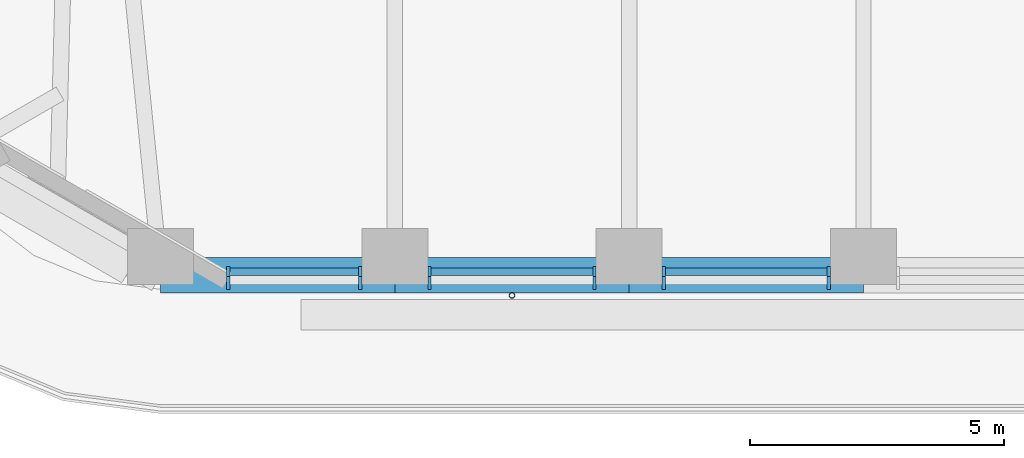
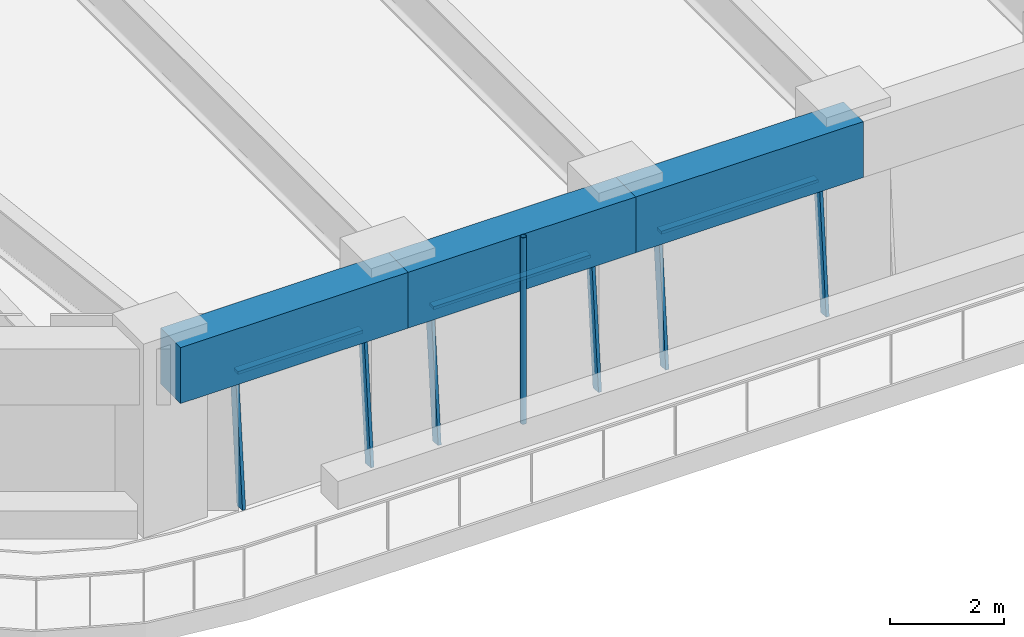
# One storey, part 2 of 20: 10 members, 3 beams, 3 elements without a shape of their own.
"""IFC4 building model written with IfcOpenShell, lengths in metres."""

import ifcopenshell
import ifcopenshell.guid

model = None  # the IFC model being written
_history = None  # IfcOwnerHistory: only IFC2X3 demands one
_inside = {}  # id of a spatial element -> (the spatial element, [elements in it])
_under = {}  # id of a project, library or spatial element -> (it, [spatial elements below it])
_declared = {}  # id of a project -> (the project, [libraries it declares])
_typed = {}  # id of a type object -> (the type object, [elements of that type])
_made_of = {}  # id of a material, layer set ... -> (it, [elements and type objects made of it])


def new_model(schema):
    """Start an empty IFC model of exactly this schema.

    Asked for "IFC4X3", IfcOpenShell would pick the latest addendum, in which some entities
    have other attributes; the version numbers below select the first issue.
    IFC2X3 requires an IfcOwnerHistory on every rooted entity: one is made here for all.
    """
    global model, _history
    if schema == "IFC4X3":
        model = ifcopenshell.file(schema_version=(4, 3, 0, 0))
    else:
        model = ifcopenshell.file(schema=schema)
    _inside.clear()
    _under.clear()
    _declared.clear()
    _typed.clear()
    _made_of.clear()
    _history = None
    if model.schema == "IFC2X3":
        org = make("IfcOrganization", Name="unknown")
        user = make(
            "IfcPersonAndOrganization",
            ThePerson=make("IfcPerson", FamilyName="unknown"),
            TheOrganization=org,
        )
        app = make(
            "IfcApplication",
            ApplicationDeveloper=org,
            Version="unknown",
            ApplicationFullName="unknown",
            ApplicationIdentifier="unknown",
        )
        _history = make(
            "IfcOwnerHistory",
            OwningUser=user,
            OwningApplication=app,
            ChangeAction="ADDED",
            CreationDate=0,
        )
    return model


def make(cls, **values):
    """One entity of the class cls with the attributes given. An attribute that is None is left unset."""
    return model.create_entity(
        cls, **{name: value for name, value in values.items() if value is not None}
    )


def rooted(cls, **values):
    """An entity with a GlobalId (a new one), such as an element, a storey or a relation."""
    return make(cls, GlobalId=ifcopenshell.guid.new(), OwnerHistory=_history, **values)


def si_unit(unit_type, name, prefix=None):
    """IfcSIUnit, for example si_unit("LENGTHUNIT", "METRE", prefix="MILLI")."""
    return make("IfcSIUnit", UnitType=unit_type, Prefix=prefix, Name=name)


def assignment(units):
    """IfcUnitAssignment: the units of a project."""
    return None if units is None else make("IfcUnitAssignment", Units=units)


def point(xyz):
    """IfcCartesianPoint."""
    return None if xyz is None else make("IfcCartesianPoint", Coordinates=xyz)


def direction(xyz):
    """IfcDirection."""
    return None if xyz is None else make("IfcDirection", DirectionRatios=xyz)


def frame(location, z_axis=None, x_axis=None):
    """IfcAxis2Placement3D, a coordinate frame: its origin and axes. An axis left out is left unset."""
    return make(
        "IfcAxis2Placement3D",
        Location=point(location),
        Axis=direction(z_axis),
        RefDirection=direction(x_axis),
    )


def frame_2d(location, x_axis=None):
    """IfcAxis2Placement2D, a coordinate frame in the plane: its origin and x axis."""
    return make(
        "IfcAxis2Placement2D", Location=point(location), RefDirection=direction(x_axis)
    )


def origin():
    """The frame at (0, 0, 0) with its axes left unset."""
    return frame((0.0, 0.0, 0.0))


def origin_2d():
    """The frame at (0, 0) in the plane with its x axis left unset."""
    return frame_2d((0.0, 0.0))


def place(relative_to, where):
    """IfcLocalPlacement: puts the frame where relative to a parent placement (None: the world)."""
    return make(
        "IfcLocalPlacement", PlacementRelTo=relative_to, RelativePlacement=where
    )


def context(
    kind, dimensions, precision=None, world=None, true_north=None, identifier=None
):
    """IfcGeometricRepresentationContext, for example the 3D "Model" context."""
    return make(
        "IfcGeometricRepresentationContext",
        ContextIdentifier=identifier,
        ContextType=kind,
        CoordinateSpaceDimension=dimensions,
        Precision=precision,
        WorldCoordinateSystem=world,
        TrueNorth=true_north,
    )


def subcontext(parent, identifier, kind, view, scale=None):
    """IfcGeometricRepresentationSubContext, for example "Body" below "Model"."""
    return make(
        "IfcGeometricRepresentationSubContext",
        ContextIdentifier=identifier,
        ContextType=kind,
        ParentContext=parent,
        TargetScale=scale,
        TargetView=view,
    )


def project(units=None, contexts=None):
    """IfcProject with its units and contexts."""
    return rooted(
        "IfcProject",
        Name="project",
        RepresentationContexts=contexts,
        UnitsInContext=assignment(units),
    )


def spatial(cls, under=None, at=None, **own):
    """A site, building, storey or space (cls), placed at a placement, below another one or the project."""
    s = rooted(cls, ObjectPlacement=at, **own)
    if under is not None:
        _under.setdefault(under.id(), (under, []))[1].append(s)
    return s


def profile(cls, at=None, kind="AREA", **sizes):
    """A parametric profile (cls). Its sizes go by their IFC names, for example OverallWidth=200.0."""
    return make(cls, ProfileType=kind, Position=at, **sizes)


def rectangle(**sizes):
    """IfcRectangleProfileDef."""
    return profile("IfcRectangleProfileDef", **sizes)


def hollow_circle(**sizes):
    """IfcCircleHollowProfileDef."""
    return profile("IfcCircleHollowProfileDef", **sizes)


def extrude(swept, where, along, depth):
    """IfcExtrudedAreaSolid: the profile swept, set in the frame where, extruded along a direction by depth."""
    return make(
        "IfcExtrudedAreaSolid",
        SweptArea=swept,
        Position=where,
        ExtrudedDirection=direction(along),
        Depth=depth,
    )


def shape(context_of_items, identifier, shape_type, items):
    """IfcShapeRepresentation: the items that make up one representation, for example the "Body"."""
    return make(
        "IfcShapeRepresentation",
        ContextOfItems=context_of_items,
        RepresentationIdentifier=identifier,
        RepresentationType=shape_type,
        Items=items,
    )


def material(Name=None, Category=None):
    """IfcMaterial."""
    return make("IfcMaterial", Name=Name, Category=Category)


def material_profile(
    of_material, cross_section, Name=None, Category=None, Priority=None
):
    """IfcMaterialProfile: a cross section and its material."""
    return make(
        "IfcMaterialProfile",
        Name=Name,
        Material=of_material,
        Profile=cross_section,
        Priority=Priority,
        Category=Category,
    )


def profile_set(profiles, Name=None, composite=None):
    """IfcMaterialProfileSet."""
    return make(
        "IfcMaterialProfileSet",
        Name=Name,
        MaterialProfiles=profiles,
        CompositeProfile=composite,
    )


def made_of(thing, what):
    """Note that an element or type object is made of a material, layer set ...; save() writes the relation."""
    if what is not None:
        _made_of.setdefault(what.id(), (what, []))[1].append(thing)
    return thing


def type_object(cls, material=None, **own):
    """A type object (cls), such as IfcWallType, which elements share."""
    return made_of(rooted(cls, **own), material)


def element(
    cls,
    number,
    at=None,
    inside=None,
    cuts=None,
    type_object=None,
    material=None,
    context=None,
    identifier="Body",
    shape_type=None,
    held_by="IfcProductDefinitionShape",
    body=None,
    shapes=None,
    **own,
):
    """One element of the class cls, such as IfcWall. Its Tag is "e" and its number.

    at: its placement. inside: the storey or other place that contains it. cuts: it is an
    opening in that element (IfcRelVoidsElement). A single representation is given by context,
    identifier, shape_type and body (its items); several are given by shapes. held_by: the class
    of the entity that holds the representations. save() writes the other relations.
    """
    e = rooted(cls, Tag="e%d" % number, ObjectPlacement=at, **own)
    if body is not None:
        shapes = [shape(context, identifier, shape_type, body)]
    if shapes is not None:
        e.Representation = make(held_by, Representations=shapes)
    if inside is not None:
        _inside.setdefault(inside.id(), (inside, []))[1].append(e)
    if cuts is not None:
        rooted(
            "IfcRelVoidsElement", RelatingBuildingElement=cuts, RelatedOpeningElement=e
        )
    if type_object is not None:
        _typed.setdefault(type_object.id(), (type_object, []))[1].append(e)
    return made_of(e, material)


def aggregate(whole, parts):
    """IfcRelAggregates: a whole, such as a stair, and the parts it consists of."""
    return rooted("IfcRelAggregates", RelatingObject=whole, RelatedObjects=parts)


def save(model, path):
    """Write the relations noted so far, then the file.

    IfcRelAggregates (storeys below a building ...), IfcRelContainedInSpatialStructure (elements
    in a storey), IfcRelDefinesByType, IfcRelAssociatesMaterial and IfcRelDeclares: one each for
    every whole, place, type object, material and project.
    """
    for whole, parts in _under.values():
        aggregate(whole, parts)
    for where, things in _inside.values():
        rooted(
            "IfcRelContainedInSpatialStructure",
            RelatedElements=things,
            RelatingStructure=where,
        )
    for kind, things in _typed.values():
        rooted("IfcRelDefinesByType", RelatedObjects=things, RelatingType=kind)
    for what, things in _made_of.values():
        rooted("IfcRelAssociatesMaterial", RelatedObjects=things, RelatingMaterial=what)
    for by, libraries in _declared.values():
        rooted("IfcRelDeclares", RelatingContext=by, RelatedDefinitions=libraries)
    model.write(path)


model = new_model("IFC4")

# Units and contexts
model_context = context("Model", 3, precision=1e-05, world=origin(), true_north=direction((0.0, 1.0)))
body_context = subcontext(model_context, "Body", "Model", "MODEL_VIEW")
ifc_project = project(units=[si_unit("LENGTHUNIT", "METRE"), si_unit("AREAUNIT", "SQUARE_METRE"), si_unit("VOLUMEUNIT", "CUBIC_METRE"), si_unit("PLANEANGLEUNIT", "RADIAN"), si_unit("MASSUNIT", "GRAM", prefix="KILO")], contexts=[model_context])

# Site, building, storey
site_placement = place(None, origin())
site = spatial("IfcSite", under=ifc_project, at=site_placement, CompositionType="ELEMENT")
building_placement = place(site_placement, origin())
building = spatial("IfcBuilding", under=site, at=building_placement, Name="Tarfa Lantern Tower", CompositionType="ELEMENT")
storey_placement = place(building_placement, frame((0.0, 0.0, 249.10009765625)))
storey = spatial("IfcBuildingStorey", under=building, at=storey_placement, Name="L56", CompositionType="ELEMENT", Elevation=249.10009765625)

# Curtain wall, members
ifc_material_1 = material(Name="Aluminium framed curtain wall", Category="aluminium")
curtain_wall_type = type_object("IfcCurtainWallType", Name="CW3 CANTED GLAZING HIGH ZONE 2800", PredefinedType="USERDEFINED", material=ifc_material_1)
curtain_wall_1_placement = place(storey_placement, origin())
curtain_wall_1 = element("IfcCurtainWall", 1, at=curtain_wall_1_placement, inside=storey, type_object=curtain_wall_type, Name="CW3 S L56", ObjectType="CURTAIN WALL", PredefinedType="USERDEFINED")
ifc_material_2 = material(Name="Aluminium mullion", Category="aluminium")
ifc_material_profile_1 = material_profile(ifc_material_2, rectangle(XDim=0.06494140625, YDim=0.199951171875, at=origin_2d()), Name="AL MULLION 65x200")
ifc_profile_set_1 = profile_set([ifc_material_profile_1], Name="Aluminium mullion")
member_type_1 = type_object("IfcMemberType", Name="CWM1 MULLION 65x200", PredefinedType="MULLION", material=ifc_profile_set_1)
member_1_placement = place(storey_placement, frame((-12.52392578125, -28.89990234375, 0.0), z_axis=(0.0, 0.088938092736, 0.996037155763), x_axis=(-1.0, 0.0, 0.0)))
member_1 = element("IfcMember", 2, at=member_1_placement, type_object=member_type_1, Name="CW3 mullion 1", PredefinedType="MULLION", context=body_context, shape_type="SweptSolid", body=[
    extrude(rectangle(XDim=0.06494140625, YDim=0.199951171875, at=origin_2d()), origin(), (0.0, 0.0, 1.0), 2.81103515625),
])
member_2_placement = place(storey_placement, frame((-9.920166015625, -28.89990234375, 0.0), z_axis=(0.0, 0.088938092736, 0.996037155763), x_axis=(-1.0, 0.0, 0.0)))
member_2 = element("IfcMember", 3, at=member_2_placement, type_object=member_type_1, Name="CW3 mullion 2", PredefinedType="MULLION", context=body_context, shape_type="SweptSolid", body=[
    extrude(rectangle(XDim=0.06494140625, YDim=0.199951171875, at=origin_2d()), origin(), (0.0, 0.0, 1.0), 2.81103515625),
])

curtain_wall_2_placement = place(storey_placement, origin())
curtain_wall_2 = element("IfcCurtainWall", 4, at=curtain_wall_2_placement, inside=storey, type_object=curtain_wall_type, Name="CW3 S L56", ObjectType="CURTAIN WALL", PredefinedType="USERDEFINED")
member_3_placement = place(storey_placement, frame((-8.55517578125, -28.89990234375, 0.0), z_axis=(0.0, 0.088938092736, 0.996037155763), x_axis=(-1.0, 0.0, 0.0)))
member_3 = element("IfcMember", 5, at=member_3_placement, type_object=member_type_1, Name="CW3 mullion 1", PredefinedType="MULLION", context=body_context, shape_type="SweptSolid", body=[
    extrude(rectangle(XDim=0.06494140625, YDim=0.199951171875, at=origin_2d()), origin(), (0.0, 0.0, 1.0), 2.81103515625),
])
member_4_placement = place(storey_placement, frame((-5.30126953125, -28.89990234375, 0.0), z_axis=(0.0, 0.088938092736, 0.996037155763), x_axis=(-1.0, 0.0, 0.0)))
member_4 = element("IfcMember", 6, at=member_4_placement, type_object=member_type_1, Name="CW3 mullion 2", PredefinedType="MULLION", context=body_context, shape_type="SweptSolid", body=[
    extrude(rectangle(XDim=0.06494140625, YDim=0.199951171875, at=origin_2d()), origin(), (0.0, 0.0, 1.0), 2.81103515625),
])

curtain_wall_3_placement = place(storey_placement, origin())
curtain_wall_3 = element("IfcCurtainWall", 7, at=curtain_wall_3_placement, inside=storey, type_object=curtain_wall_type, Name="CW3 S L56", ObjectType="CURTAIN WALL", PredefinedType="USERDEFINED")
member_5_placement = place(storey_placement, frame((-3.936279296875, -28.89990234375, 0.0), z_axis=(0.0, 0.088938092736, 0.996037155763), x_axis=(-1.0, 0.0, 0.0)))
member_5 = element("IfcMember", 8, at=member_5_placement, type_object=member_type_1, Name="CW3 mullion 1", PredefinedType="MULLION", context=body_context, shape_type="SweptSolid", body=[
    extrude(rectangle(XDim=0.06494140625, YDim=0.199951171875, at=origin_2d()), origin(), (0.0, 0.0, 1.0), 2.81103515625),
])
member_6_placement = place(storey_placement, frame((-0.6826171875, -28.89990234375, 0.0), z_axis=(0.0, 0.088938092736, 0.996037155763), x_axis=(-1.0, 0.0, 0.0)))
member_6 = element("IfcMember", 9, at=member_6_placement, type_object=member_type_1, Name="CW3 mullion 2", PredefinedType="MULLION", context=body_context, shape_type="SweptSolid", body=[
    extrude(rectangle(XDim=0.06494140625, YDim=0.199951171875, at=origin_2d()), origin(), (0.0, 0.0, 1.0), 2.81103515625),
])

# Member
ifc_material_3 = material(Name="Aluminium transom", Category="aluminium")
ifc_material_profile_2 = material_profile(ifc_material_3, rectangle(XDim=0.14990234375, YDim=0.06494140625, at=origin_2d()), Name="AL TRANSOM 150x65")
ifc_profile_set_2 = profile_set([ifc_material_profile_2], Name="Aluminium transom")
member_type_2 = type_object("IfcMemberType", Name="CWT1 TRANSOM 150x65", PredefinedType="USERDEFINED", material=ifc_profile_set_2)
member_7_placement = place(storey_placement, frame((-12.491455078125, -28.65283203125, 2.767333984375), z_axis=(1.0, 0.0, 0.0), x_axis=(0.0, 1.0, 0.0)))
member_7 = element("IfcMember", 10, at=member_7_placement, type_object=member_type_2, Name="CW3 transom 1.2", ObjectType="TRANSOM", PredefinedType="USERDEFINED", context=body_context, shape_type="SweptSolid", body=[
    extrude(rectangle(XDim=0.14990234375, YDim=0.06494140625, at=origin_2d()), origin(), (0.0, 0.0, 1.0), 2.538818359375),
])

aggregate(curtain_wall_1, [member_1, member_2, member_7])

member_8_placement = place(storey_placement, frame((-8.522705078125, -28.65283203125, 2.767333984375), z_axis=(1.0, 0.0, 0.0), x_axis=(0.0, 1.0, 0.0)))
member_8 = element("IfcMember", 11, at=member_8_placement, type_object=member_type_2, Name="CW3 transom 1.2", ObjectType="TRANSOM", PredefinedType="USERDEFINED", context=body_context, shape_type="SweptSolid", body=[
    extrude(rectangle(XDim=0.14990234375, YDim=0.06494140625, at=origin_2d()), origin(), (0.0, 0.0, 1.0), 3.18896484375),
])

aggregate(curtain_wall_2, [member_3, member_4, member_8])

member_9_placement = place(storey_placement, frame((-3.90380859375, -28.65283203125, 2.767333984375), z_axis=(1.0, 0.0, 0.0), x_axis=(0.0, 1.0, 0.0)))
member_9 = element("IfcMember", 12, at=member_9_placement, type_object=member_type_2, Name="CW3 transom 1.2", ObjectType="TRANSOM", PredefinedType="USERDEFINED", context=body_context, shape_type="SweptSolid", body=[
    extrude(rectangle(XDim=0.14990234375, YDim=0.06494140625, at=origin_2d()), origin(), (0.0, 0.0, 1.0), 3.188720703125),
])

aggregate(curtain_wall_3, [member_5, member_6, member_9])

# Beams
ifc_material_4 = material(Name="Concrete C80/95", Category="concrete")
ifc_material_profile_3 = material_profile(ifc_material_4, rectangle(XDim=0.699951171875, YDim=1.199951171875, at=origin_2d()), Name="RC 700x1200")
ifc_profile_set_3 = profile_set([ifc_material_profile_3], Name="Concrete C80/95")
beam_type = type_object("IfcBeamType", Name="EB3 RC 700x1200", PredefinedType="SPANDREL", material=ifc_profile_set_3)
beam_1_placement = place(storey_placement, frame((-13.8564453125, -28.719970703125, 3.39990234375), z_axis=(1.0, 0.0, 0.0), x_axis=(0.0, 1.0, 0.0)))
element("IfcBeam", 13, at=beam_1_placement, inside=storey, type_object=beam_type, Name="Edge beam S0", PredefinedType="SPANDREL", context=body_context, shape_type="SweptSolid", body=[
    extrude(rectangle(XDim=0.699951171875, YDim=1.199951171875, at=origin_2d()), origin(), (0.0, 0.0, 1.0), 4.618896484375),
])
beam_2_placement = place(storey_placement, frame((-9.237548828125, -28.719970703125, 3.39990234375), z_axis=(1.0, 0.0, 0.0), x_axis=(0.0, 1.0, 0.0)))
element("IfcBeam", 14, at=beam_2_placement, inside=storey, type_object=beam_type, Name="Edge beam S1", PredefinedType="SPANDREL", context=body_context, shape_type="SweptSolid", body=[
    extrude(rectangle(XDim=0.699951171875, YDim=1.199951171875, at=origin_2d()), origin(), (0.0, 0.0, 1.0), 4.61865234375),
])
beam_3_placement = place(storey_placement, frame((-4.618896484375, -28.719970703125, 3.39990234375), z_axis=(1.0, 0.0, 0.0), x_axis=(0.0, 1.0, 0.0)))
element("IfcBeam", 15, at=beam_3_placement, inside=storey, type_object=beam_type, Name="Edge beam S2", PredefinedType="SPANDREL", context=body_context, shape_type="SweptSolid", body=[
    extrude(rectangle(XDim=0.699951171875, YDim=1.199951171875, at=origin_2d()), origin(), (0.0, 0.0, 1.0), 4.618896484375),
])

# Member
ifc_material_5 = material(Name="Steel S355", Category="steel")
ifc_material_profile_4 = material_profile(ifc_material_5, hollow_circle(Radius=0.05712890625, WallThickness=0.00634765625, at=origin_2d()), Name="CHS114.3x6.3")
ifc_profile_set_4 = profile_set([ifc_material_profile_4], Name="Steel S355")
member_type_3 = type_object("IfcMemberType", Name="TR1 GREEN WALL TRELLIS CHS114.3x6.3", PredefinedType="USERDEFINED", material=ifc_profile_set_4)
member_10_placement = place(storey_placement, frame((-6.92822265625, -29.1201171875, 0.0), z_axis=(0.0, 0.0, 1.0), x_axis=(1.0, 0.0, 0.0)))
element("IfcMember", 16, at=member_10_placement, inside=storey, type_object=member_type_3, Name="Trellis post S 1", ObjectType="TRELLIS", PredefinedType="USERDEFINED", context=body_context, shape_type="SweptSolid", body=[
    extrude(hollow_circle(Radius=0.05712890625, WallThickness=0.00634765625, at=origin_2d()), origin(), (0.0, 0.0, 1.0), 4.0),
])

save(model, "model.ifc")
